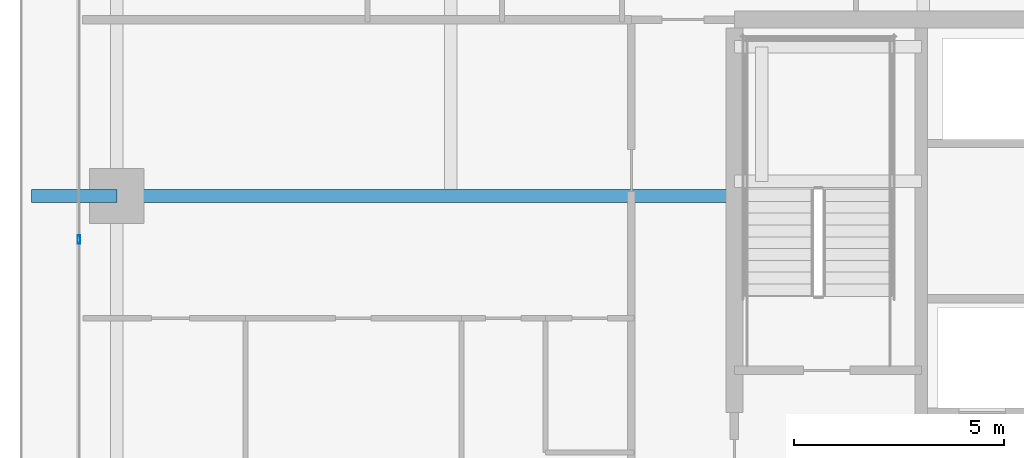
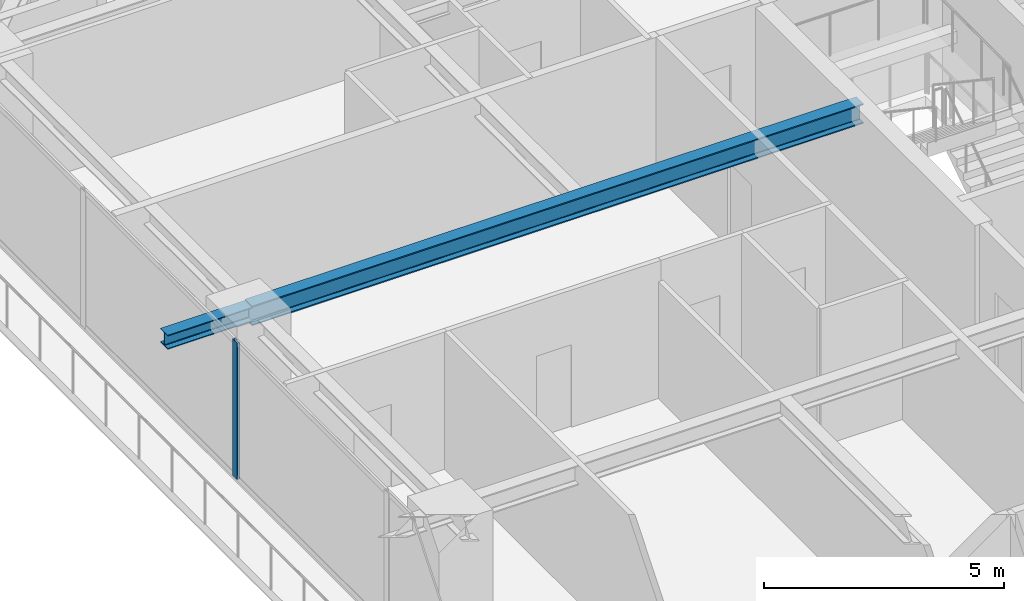
# One storey, part 9 of 37: 2 beams, 1 member, 1 element without a shape of its own.
"""IFC4 building model written with IfcOpenShell, lengths in metres."""

from ifc_helpers import new_model, si_unit, direction, frame, origin, origin_2d, place, context, subcontext, project, spatial, hollow_rectangle, i_section, extrude, source, transform, mapped, material, layer, layer_set, material_profile, profile_set, type_object, element, aggregate, save


model = new_model("IFC4")

# Units and contexts
model_context = context("Model", 3, precision=1e-05, world=origin(), true_north=direction((0.0, 1.0)))
body_context = subcontext(model_context, "Body", "Model", "MODEL_VIEW")
ifc_project = project(units=[si_unit("LENGTHUNIT", "METRE"), si_unit("AREAUNIT", "SQUARE_METRE"), si_unit("VOLUMEUNIT", "CUBIC_METRE"), si_unit("PLANEANGLEUNIT", "RADIAN"), si_unit("MASSUNIT", "GRAM", prefix="KILO")], contexts=[model_context])

# Site, building, storey
site_placement = place(None, origin())
site = spatial("IfcSite", under=ifc_project, at=site_placement, CompositionType="ELEMENT")
building_placement = place(site_placement, origin())
building = spatial("IfcBuilding", under=site, at=building_placement, Name="Serunith Strait Residences", CompositionType="ELEMENT")
storey_placement = place(building_placement, frame((0.0, 0.0, 161.39990234375)))
storey = spatial("IfcBuildingStorey", under=building, at=storey_placement, Name="L40", CompositionType="ELEMENT", Elevation=161.39990234375)

# Beams
ifc_material_1 = material(Name="Steel S355J2", Category="steel")
ifc_material_profile_1 = material_profile(ifc_material_1, i_section(OverallWidth=0.300048828125, OverallDepth=0.5, WebThickness=0.014404296875, FlangeThickness=0.028076171875, FilletRadius=0.027099609375, at=origin_2d()), Name="HEB 500")
ifc_profile_set_1 = profile_set([ifc_material_profile_1], Name="Steel S355J2")
beam_type_1 = type_object("IfcBeamType", Name="BM-HEB500", PredefinedType="BEAM", material=ifc_profile_set_1)
shared_shape_1 = source(origin(), body_context, "Body", "SweptSolid", [
    extrude(i_section(OverallWidth=0.300048828125, OverallDepth=0.5, WebThickness=0.014404296875, FlangeThickness=0.028076171875, FilletRadius=0.027099609375, at=origin_2d()), origin(), (0.0, 0.0, 1.0), 14.699951171875),
])
beam_1_placement = place(storey_placement, frame((23.39990234375, 29.39990234375, 3.237060546875), z_axis=(-1.0, 0.0, 0.0), x_axis=(0.0, -1.0, 0.0)))
element("IfcBeam", 1, at=beam_1_placement, inside=storey, type_object=beam_type_1, Name="L40 Primary Floor Girder TC-W3", PredefinedType="BEAM", context=body_context, shape_type="MappedRepresentation", body=[
    mapped(shared_shape_1, transform((0.0, 0.0, 0.0), scale=1.0)),
])
ifc_material_profile_2 = material_profile(ifc_material_1, i_section(OverallWidth=0.300048828125, OverallDepth=0.360107421875, WebThickness=0.012451171875, FlangeThickness=0.0224609375, FilletRadius=0.027099609375, at=origin_2d()), Name="HEB 360")
ifc_profile_set_2 = profile_set([ifc_material_profile_2], Name="Steel S355J2")
beam_type_2 = type_object("IfcBeamType", Name="BM-HEB360", PredefinedType="BEAM", material=ifc_profile_set_2)
shared_shape_2 = source(origin(), body_context, "Body", "SweptSolid", [
    extrude(i_section(OverallWidth=0.300048828125, OverallDepth=0.360107421875, WebThickness=0.012451171875, FlangeThickness=0.0224609375, FilletRadius=0.027099609375, at=origin_2d()), origin(), (0.0, 0.0, 1.0), 2.030029296875),
])
beam_2_placement = place(storey_placement, frame((8.699951171875, 29.39990234375, 3.277099609375), z_axis=(-1.0, 0.0, 0.0), x_axis=(0.0, -1.0, 0.0)))
element("IfcBeam", 2, at=beam_2_placement, inside=storey, type_object=beam_type_2, Name="L41 Cantilevered Balcony Rib TC-W3", PredefinedType="BEAM", context=body_context, shape_type="MappedRepresentation", body=[
    mapped(shared_shape_2, transform((0.0, 0.0, 0.0), scale=1.0)),
])

# Curtain wall, member
ifc_material_2 = material(Name="Pale-Champagne Anodised Aluminium", Category="aluminium")
ifc_layer = layer(ifc_material_2, 0.199951171875, Name="Pale-Champagne Anodised Aluminium")
ifc_layer_set = layer_set([ifc_layer], Name="Pale-Champagne Anodised Aluminium")
curtain_wall_type = type_object("IfcCurtainWallType", Name="CW-SYS2", PredefinedType="NOTDEFINED", material=ifc_layer_set)
curtain_wall_placement = place(storey_placement, origin())
curtain_wall = element("IfcCurtainWall", 3, at=curtain_wall_placement, inside=storey, type_object=curtain_wall_type, Name="L40 W Unitised Fritted Curtain Wall", PredefinedType="NOTDEFINED")
ifc_material_profile_3 = material_profile(ifc_material_2, hollow_rectangle(XDim=0.070068359375, YDim=0.199951171875, WallThickness=0.00390625, InnerFilletRadius=0.006103515625, OuterFilletRadius=0.010009765625, at=origin_2d()), Name="ALU 200x70x4")
ifc_profile_set_3 = profile_set([ifc_material_profile_3], Name="Pale-Champagne Anodised Aluminium")
member_type = type_object("IfcMemberType", Name="CW-SYS2-MULL", PredefinedType="MULLION", material=ifc_profile_set_3)
shared_shape_3 = source(origin(), body_context, "Body", "SweptSolid", [
    extrude(hollow_rectangle(XDim=0.070068359375, YDim=0.199951171875, WallThickness=0.00390625, InnerFilletRadius=0.006103515625, OuterFilletRadius=0.010009765625, at=origin_2d()), origin(), (0.0, 0.0, 1.0), 3.47509765625),
])
member_placement = place(storey_placement, frame((7.800048828125, 28.360107421875, 0.0), z_axis=(0.0, 0.0, 1.0), x_axis=(1.0, 0.0, 0.0)))
member = element("IfcMember", 4, at=member_placement, type_object=member_type, Name="CW-2 mullion 3", PredefinedType="MULLION", context=body_context, shape_type="MappedRepresentation", body=[
    mapped(shared_shape_3, transform((0.0, 0.0, 0.0), scale=1.0)),
])
aggregate(curtain_wall, [member])

save(model, "model.ifc")
